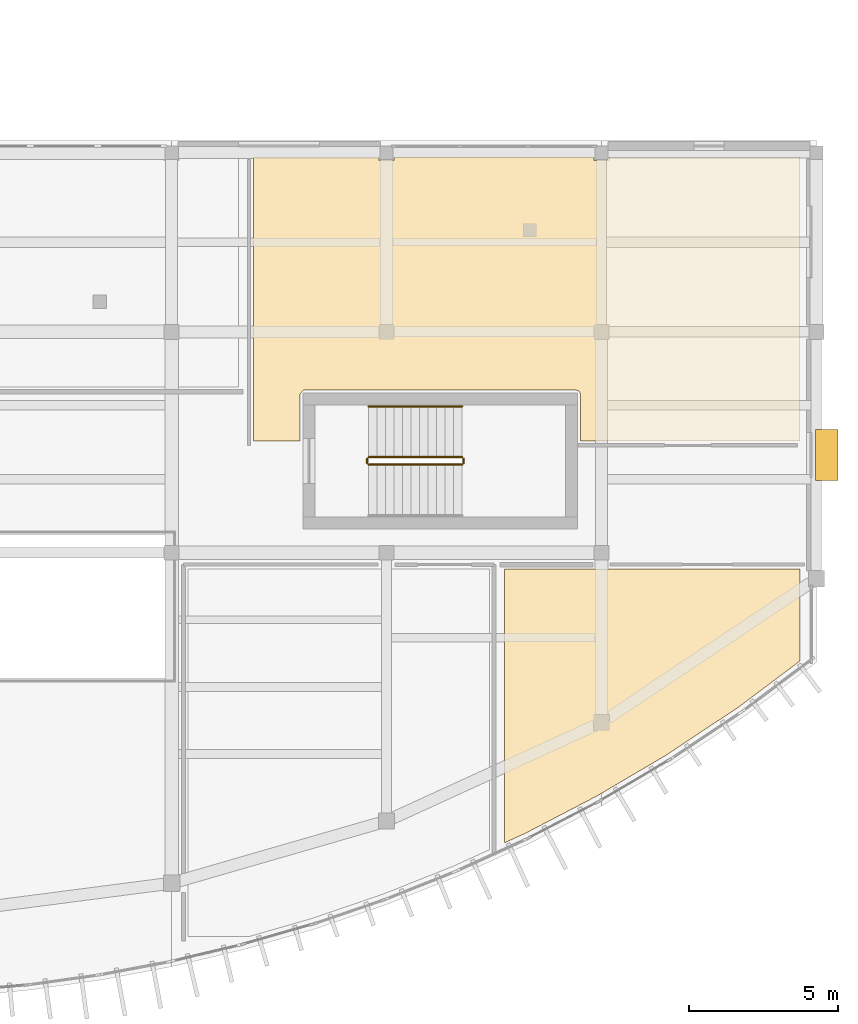
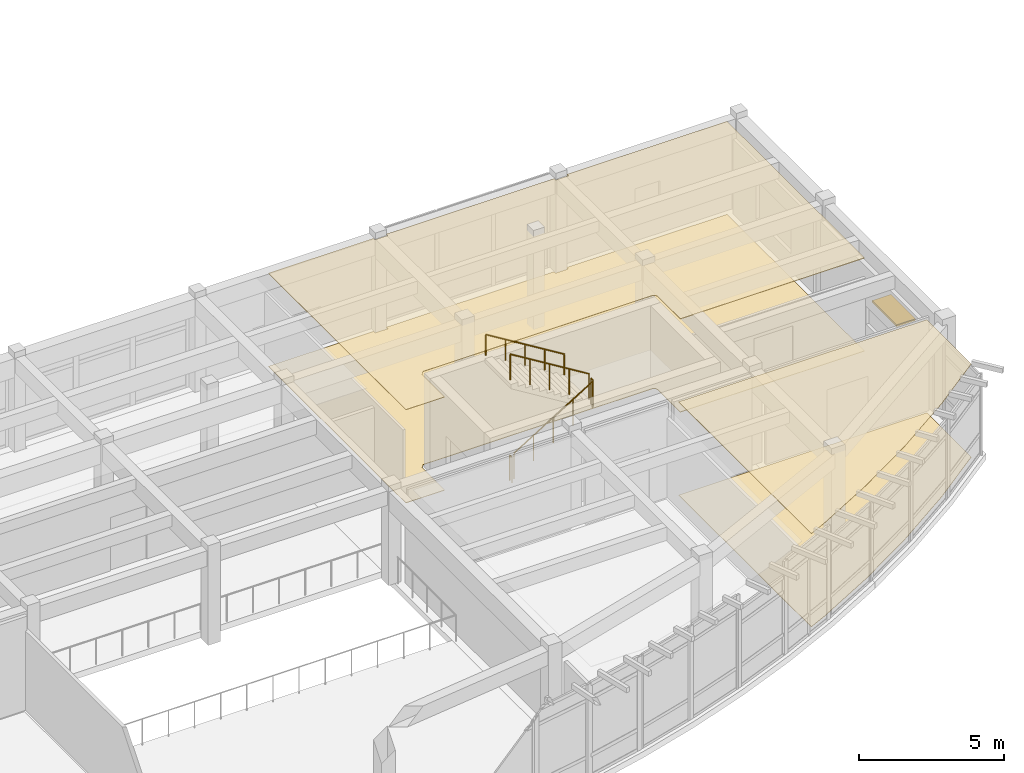
# One storey, part 57 of 60: 5 railings, 4 coverings, 1 shading device.
"""IFC4 building model written with IfcOpenShell, lengths in metres."""

from ifc_helpers import new_model, si_unit, direction, frame, origin, origin_2d, place, context, subcontext, project, spatial, polyline, rectangle, circle, outline, extrude, material, layer, layer_set, type_object, element, save


model = new_model("IFC4")

# Units and contexts
model_context = context("Model", 3, precision=1e-05, world=origin(), true_north=direction((0.0, 1.0)))
body_context = subcontext(model_context, "Body", "Model", "MODEL_VIEW")
ifc_project = project(units=[si_unit("LENGTHUNIT", "METRE"), si_unit("AREAUNIT", "SQUARE_METRE"), si_unit("VOLUMEUNIT", "CUBIC_METRE"), si_unit("PLANEANGLEUNIT", "RADIAN"), si_unit("MASSUNIT", "GRAM", prefix="KILO")], contexts=[model_context])

# Site, building, storey
site_placement = place(None, origin())
site = spatial("IfcSite", under=ifc_project, at=site_placement, CompositionType="ELEMENT")
building_placement = place(site_placement, origin())
building = spatial("IfcBuilding", under=site, at=building_placement, Name="Brisavento Harbour Community Centre", CompositionType="ELEMENT")
storey_placement = place(building_placement, frame((0.0, 0.0, 4.5)))
storey = spatial("IfcBuildingStorey", under=building, at=storey_placement, Name="L01", CompositionType="ELEMENT", Elevation=4.5)

# Coverings
ifc_material_1 = material(Name="Perforated acoustic gypsum ceiling board", Category="other")
ifc_layer_1 = layer(ifc_material_1, 0.02490234375, Name="Perforated acoustic gypsum ceiling board")
ifc_layer_set_1 = layer_set([ifc_layer_1], Name="Perforated acoustic gypsum ceiling board")
covering_type_1 = type_object("IfcCoveringType", Name="COV-CEIL-AC", PredefinedType="CEILING", material=ifc_layer_set_1)
covering_1_placement = place(storey_placement, frame((0.0, 0.0, 3.925048828125)))
element("IfcCovering", 1, at=covering_1_placement, inside=storey, type_object=covering_type_1, Name="L01 Adult Classroom 102 acoustic ceiling", PredefinedType="CEILING", context=body_context, shape_type="SweptSolid", body=[
    extrude(outline(polyline([(162.35009765625, 14.449951171875), (162.35009765625, 5.283447265625), (163.03759765625, 5.59765625), (165.42041015625, 6.837890625), (167.803466796875, 8.24267578125), (170.186279296875, 9.82861328125), (172.25, 11.377685546875), (172.25, 14.449951171875), (162.35009765625, 14.449951171875)])), origin(), (0.0, 0.0, 1.0), 0.02490234375),
])
covering_2_placement = place(storey_placement, frame((0.0, 0.0, 3.925048828125)))
element("IfcCovering", 2, at=covering_2_placement, inside=storey, type_object=covering_type_1, Name="L01 Local History Reading Room acoustic ceiling", PredefinedType="CEILING", context=body_context, shape_type="SweptSolid", body=[
    extrude(outline(polyline([(158.655029296875, 28.14501953125), (158.14501953125, 28.14501953125), (158.14501953125, 28.25), (153.949951171875, 28.25), (153.949951171875, 18.75), (155.5, 18.75), (155.500732421875, 20.314697265625), (155.62060546875, 20.447021484375), (164.75, 20.449951171875), (164.856201171875, 20.406005859375), (164.8994140625, 20.314697265625), (164.89990234375, 18.75), (172.25, 18.75), (172.25, 28.25), (165.85498046875, 28.25), (165.85498046875, 28.14501953125), (165.344970703125, 28.14501953125), (165.344970703125, 28.25), (158.655029296875, 28.25), (158.655029296875, 28.14501953125)])), origin(), (0.0, 0.0, 1.0), 0.02490234375),
])
ifc_material_2 = material(Name="Polished marine terrazzo tile", Category="other")
ifc_layer_2 = layer(ifc_material_2, 0.02001953125, Name="Polished marine terrazzo tile")
ifc_layer_set_2 = layer_set([ifc_layer_2], Name="Polished marine terrazzo tile")
covering_type_2 = type_object("IfcCoveringType", Name="COV-FLR-TRZ", PredefinedType="FLOORING", material=ifc_layer_set_2)
covering_3_placement = place(storey_placement, origin())
element("IfcCovering", 3, at=covering_3_placement, inside=storey, type_object=covering_type_2, Name="L01 Adult Classroom 102 terrazzo flooring", PredefinedType="FLOORING", context=body_context, shape_type="SweptSolid", body=[
    extrude(outline(polyline([(162.35009765625, 14.449951171875), (162.35009765625, 5.283447265625), (163.03759765625, 5.59765625), (165.42041015625, 6.837890625), (167.803466796875, 8.24267578125), (170.186279296875, 9.82861328125), (172.25, 11.377685546875), (172.25, 14.449951171875), (162.35009765625, 14.449951171875)])), origin(), (0.0, 0.0, 1.0), 0.02001953125),
])
covering_4_placement = place(storey_placement, origin())
element("IfcCovering", 4, at=covering_4_placement, inside=storey, type_object=covering_type_2, Name="L01 Local History Reading Room terrazzo flooring", PredefinedType="FLOORING", context=body_context, shape_type="SweptSolid", body=[
    extrude(outline(polyline([(158.655029296875, 28.14501953125), (158.14501953125, 28.14501953125), (158.14501953125, 28.25), (153.949951171875, 28.25), (153.949951171875, 18.75), (155.5, 18.75), (155.500732421875, 20.314697265625), (155.62060546875, 20.447021484375), (164.75, 20.449951171875), (164.856201171875, 20.406005859375), (164.8994140625, 20.314697265625), (164.89990234375, 18.75), (172.25, 18.75), (172.25, 28.25), (165.85498046875, 28.25), (165.85498046875, 28.14501953125), (165.344970703125, 28.14501953125), (165.344970703125, 28.25), (158.655029296875, 28.25), (158.655029296875, 28.14501953125)])), origin(), (0.0, 0.0, 1.0), 0.02001953125),
])

# Railings
ifc_material_3 = material(Name="Stainless steel 1.4401", Category="steel")
railing_type_1 = type_object("IfcRailingType", Name="RL-ST-GUARD", PredefinedType="GUARDRAIL", material=ifc_material_3)
railing_1_placement = place(storey_placement, frame((157.800048828125, 17.949951171875, 0.175048828125)))
element("IfcRailing", 5, at=railing_1_placement, inside=storey, type_object=railing_type_1, Name="L01 ST-05 stair guard 1", PredefinedType="GUARDRAIL", context=body_context, shape_type="SweptSolid", body=[
    extrude(circle(Radius=0.02392578125, at=origin_2d()), frame((0.0, 0.0, 1.076171875), z_axis=(0.852166034122, 0.0, 0.523271488128), x_axis=(0.0, 1.0, 0.0)), (0.0, 0.0, 1.0), 3.678955078125),
    extrude(circle(Radius=0.02099609375, at=origin_2d()), origin(), (0.0, 0.0, 1.0), 1.052001953125),
    extrude(circle(Radius=0.02099609375, at=origin_2d()), frame((0.78369140625, 0.0, 0.481201171875)), (0.0, 0.0, 1.0), 1.052001953125),
    extrude(circle(Radius=0.02099609375, at=origin_2d()), frame((1.5673828125, 0.0, 0.96240234375)), (0.0, 0.0, 1.0), 1.052001953125),
    extrude(circle(Radius=0.02099609375, at=origin_2d()), frame((2.351318359375, 0.0, 1.44384765625)), (0.0, 0.0, 1.0), 1.052001953125),
    extrude(circle(Radius=0.02099609375, at=origin_2d()), frame((3.135009765625, 0.0, 1.925048828125)), (0.0, 0.0, 1.0), 1.052001953125),
])
railing_2_placement = place(storey_placement, frame((160.985107421875, 18.0, 2.10009765625)))
element("IfcRailing", 6, at=railing_2_placement, inside=storey, type_object=railing_type_1, Name="L01 ST-05 stair guard 2", PredefinedType="GUARDRAIL", context=body_context, shape_type="SweptSolid", body=[
    extrude(circle(Radius=0.02392578125, at=origin_2d()), frame((0.0, 0.0, 1.076171875), z_axis=(0.0, 1.0, 0.0), x_axis=(-1.0, 0.0, 0.0)), (0.0, 0.0, 1.0), 0.14990234375),
    extrude(circle(Radius=0.02099609375, at=origin_2d()), origin(), (0.0, 0.0, 1.0), 1.052001953125),
    extrude(circle(Radius=0.02099609375, at=origin_2d()), frame((0.0, 0.14990234375, 0.0)), (0.0, 0.0, 1.0), 1.052001953125),
])
railing_3_placement = place(storey_placement, frame((160.93505859375, 18.199951171875, 2.27490234375)))
element("IfcRailing", 7, at=railing_3_placement, inside=storey, type_object=railing_type_1, Name="L01 ST-05 stair guard 3", PredefinedType="GUARDRAIL", context=body_context, shape_type="SweptSolid", body=[
    extrude(circle(Radius=0.02392578125, at=origin_2d()), frame((0.0, 0.0, 1.076171875), z_axis=(-0.852166034122, 0.0, 0.523271488128), x_axis=(0.0, -1.0, 0.0)), (0.0, 0.0, 1.0), 3.678955078125),
    extrude(circle(Radius=0.02099609375, at=origin_2d()), origin(), (0.0, 0.0, 1.0), 1.052001953125),
    extrude(circle(Radius=0.02099609375, at=origin_2d()), frame((-0.78369140625, 0.0, 0.481201171875)), (0.0, 0.0, 1.0), 1.052001953125),
    extrude(circle(Radius=0.02099609375, at=origin_2d()), frame((-1.5673828125, 0.0, 0.96240234375)), (0.0, 0.0, 1.0), 1.052001953125),
    extrude(circle(Radius=0.02099609375, at=origin_2d()), frame((-2.351318359375, 0.0, 1.44384765625)), (0.0, 0.0, 1.0), 1.052001953125),
    extrude(circle(Radius=0.02099609375, at=origin_2d()), frame((-3.135009765625, 0.0, 1.925048828125)), (0.0, 0.0, 1.0), 1.052001953125),
])
railing_4_placement = place(storey_placement, frame((157.75, 18.0, 0.0)))
element("IfcRailing", 8, at=railing_4_placement, inside=storey, type_object=railing_type_1, Name="L01 ST-05 stair guard 4", PredefinedType="GUARDRAIL", context=body_context, shape_type="SweptSolid", body=[
    extrude(circle(Radius=0.02392578125, at=origin_2d()), frame((0.0, 0.0, 1.076171875), z_axis=(0.0, 1.0, 0.0), x_axis=(-1.0, 0.0, 0.0)), (0.0, 0.0, 1.0), 0.14990234375),
    extrude(circle(Radius=0.02099609375, at=origin_2d()), origin(), (0.0, 0.0, 1.0), 1.052001953125),
    extrude(circle(Radius=0.02099609375, at=origin_2d()), frame((0.0, 0.14990234375, 0.0)), (0.0, 0.0, 1.0), 1.052001953125),
])
railing_type_2 = type_object("IfcRailingType", Name="RL-ST-HAND", PredefinedType="HANDRAIL", material=ifc_material_3)
railing_5_placement = place(storey_placement, frame((160.93505859375, 19.89990234375, 2.27490234375)))
element("IfcRailing", 9, at=railing_5_placement, inside=storey, type_object=railing_type_2, Name="L01 ST-05 stair handrail 2", PredefinedType="HANDRAIL", context=body_context, shape_type="SweptSolid", body=[
    extrude(circle(Radius=0.02392578125, at=origin_2d()), frame((0.0, 0.0, 0.8759765625), z_axis=(-0.852166034122, 0.0, 0.523271488128), x_axis=(0.0, -1.0, 0.0)), (0.0, 0.0, 1.0), 3.678955078125),
    extrude(circle(Radius=0.02099609375, at=origin_2d()), origin(), (0.0, 0.0, 1.0), 0.851806640625),
    extrude(circle(Radius=0.02099609375, at=origin_2d()), frame((-0.78369140625, 0.0, 0.481201171875)), (0.0, 0.0, 1.0), 0.851806640625),
    extrude(circle(Radius=0.02099609375, at=origin_2d()), frame((-1.5673828125, 0.0, 0.96240234375)), (0.0, 0.0, 1.0), 0.851806640625),
    extrude(circle(Radius=0.02099609375, at=origin_2d()), frame((-2.351318359375, 0.0, 1.44384765625)), (0.0, 0.0, 1.0), 0.851806640625),
    extrude(circle(Radius=0.02099609375, at=origin_2d()), frame((-3.135009765625, 0.0, 1.925048828125)), (0.0, 0.0, 1.0), 0.851806640625),
])

# Shading device
ifc_material_4 = material(Name="Off-white precast concrete C40/50", Category="concrete")
ifc_layer_3 = layer(ifc_material_4, 0.080078125, Name="Off-white precast concrete C40/50")
ifc_layer_set_3 = layer_set([ifc_layer_3], Name="Off-white precast concrete C40/50")
shading_device_type = type_object("IfcShadingDeviceType", Name="SHD-BLADE", PredefinedType="USERDEFINED", material=ifc_layer_set_3)
shading_device_placement = place(storey_placement, frame((173.139892578125, 18.276611328125, 1.659912109375), z_axis=(0.0, 0.0, 1.0), x_axis=(0.0, -1.0, 0.0)))
element("IfcShadingDevice", 10, at=shading_device_placement, inside=storey, type_object=shading_device_type, Name="L01 precast storm sunshade blade 13", ObjectType="SUNSHADE BLADE", PredefinedType="USERDEFINED", context=body_context, shape_type="SweptSolid", body=[
    extrude(rectangle(XDim=1.699951171875, YDim=0.75, at=origin_2d()), origin(), (0.0, 0.0, 1.0), 0.080078125),
])

save(model, "model.ifc")
